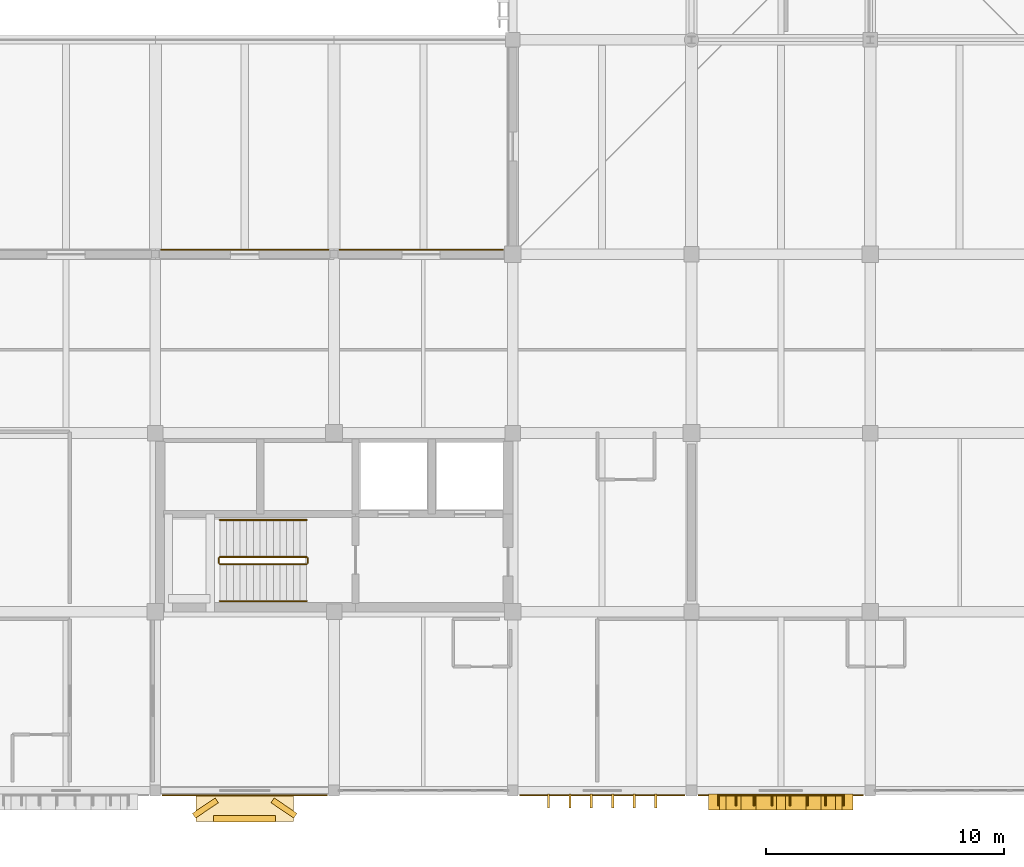
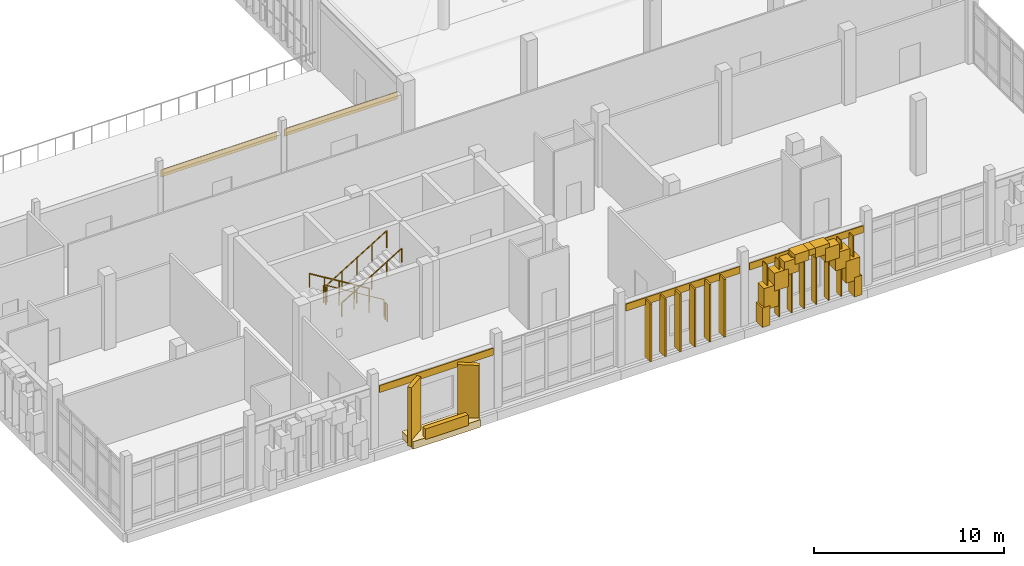
# One storey, part 127 of 131: 26 coverings, 8 shading devices, 6 railings.
"""IFC4 building model written with IfcOpenShell, lengths in metres."""

from ifc_helpers import new_model, si_unit, direction, frame, origin, origin_2d, place, context, subcontext, project, spatial, rectangle, circle, extrude, material, layer, layer_set, type_object, element, save


model = new_model("IFC4")

# Units and contexts
model_context = context("Model", 3, precision=1e-05, world=origin(), true_north=direction((0.0, 1.0)))
body_context = subcontext(model_context, "Body", "Model", "MODEL_VIEW")
ifc_project = project(units=[si_unit("LENGTHUNIT", "METRE"), si_unit("AREAUNIT", "SQUARE_METRE"), si_unit("VOLUMEUNIT", "CUBIC_METRE"), si_unit("PLANEANGLEUNIT", "RADIAN"), si_unit("MASSUNIT", "GRAM", prefix="KILO")], contexts=[model_context])

# Site, building, storey
site_placement = place(None, origin())
site = spatial("IfcSite", under=ifc_project, at=site_placement, CompositionType="ELEMENT")
building_placement = place(site_placement, origin())
building = spatial("IfcBuilding", under=site, at=building_placement, Name="Dalvernix Boulevard General Hospital", CompositionType="ELEMENT")
storey_placement = place(building_placement, frame((0.0, 0.0, 9.300048828125)))
storey = spatial("IfcBuildingStorey", under=building, at=storey_placement, Name="L02", CompositionType="ELEMENT", Elevation=9.300048828125)

# Coverings
ifc_material_1 = material(Name="Pressed Catalan clay brick and dressed limestone parabolic archivolt", Category="masonry")
ifc_layer_1 = layer(ifc_material_1, 0.419921875)
ifc_layer_set_1 = layer_set([ifc_layer_1], Name="Pressed Catalan clay brick and dressed limestone parabolic archivolt (COV-ARC-01)")
covering_type_1 = type_object("IfcCoveringType", Name="COV-ARC-01", PredefinedType="CLADDING", material=ifc_layer_set_1)
for number, where, z_axis, x_axis, name in (
    (1, (156.550048828125, -0.485107421875, 0.0), (0.0, 0.0, 1.0), (-1.0, 0.0, 0.0), "L02 Catalan parabolic arch impost pier S 20-0-L"),
    (2, (150.949951171875, -0.485107421875, 0.0), (0.0, 0.0, 1.0), (-1.0, 0.0, 0.0), "L02 Catalan parabolic arch impost pier S 20-0-R"),
):
    element("IfcCovering", number, at=place(storey_placement, frame(where, z_axis=z_axis, x_axis=x_axis)), inside=storey, type_object=covering_type_1, Name=name, PredefinedType="CLADDING", context=body_context, shape_type="SweptSolid", body=[
        extrude(rectangle(XDim=0.4599609375, YDim=0.659912109375, at=origin_2d()), origin(), (0.0, 0.0, 1.0), 1.25),
    ])
covering_1_placement = place(storey_placement, frame((156.239013671875, -0.485107421875, 1.059814453125), z_axis=(0.0, 0.0, 1.0), x_axis=(-1.0, 0.0, 0.0)))
element("IfcCovering", 3, at=covering_1_placement, inside=storey, type_object=covering_type_1, Name="L02 Catalan parabolic archivolt voussoir S 20-0-1", PredefinedType="CLADDING", context=body_context, shape_type="SweptSolid", body=[
    extrude(rectangle(XDim=0.8623046875, YDim=0.659912109375, at=origin_2d()), origin(), (0.0, 0.0, 1.0), 1.3994140625),
])
covering_2_placement = place(storey_placement, frame((155.61669921875, -0.485107421875, 2.0791015625), z_axis=(0.0, 0.0, 1.0), x_axis=(-1.0, 0.0, 0.0)))
element("IfcCovering", 4, at=covering_2_placement, inside=storey, type_object=covering_type_1, Name="L02 Catalan parabolic archivolt voussoir S 20-0-2", PredefinedType="CLADDING", context=body_context, shape_type="SweptSolid", body=[
    extrude(rectangle(XDim=0.8623046875, YDim=0.659912109375, at=origin_2d()), origin(), (0.0, 0.0, 1.0), 1.144287109375),
])
covering_3_placement = place(storey_placement, frame((154.994384765625, -0.485107421875, 2.843505859375), z_axis=(0.0, 0.0, 1.0), x_axis=(-1.0, 0.0, 0.0)))
element("IfcCovering", 5, at=covering_3_placement, inside=storey, type_object=covering_type_1, Name="L02 Catalan parabolic archivolt voussoir S 20-0-3", PredefinedType="CLADDING", context=body_context, shape_type="SweptSolid", body=[
    extrude(rectangle(XDim=0.8623046875, YDim=0.659912109375, at=origin_2d()), origin(), (0.0, 0.0, 1.0), 0.8896484375),
])
covering_4_placement = place(storey_placement, frame((154.372314453125, -0.485107421875, 3.353271484375), z_axis=(0.0, 0.0, 1.0), x_axis=(-1.0, 0.0, 0.0)))
element("IfcCovering", 6, at=covering_4_placement, inside=storey, type_object=covering_type_1, Name="L02 Catalan parabolic archivolt voussoir S 20-0-4", PredefinedType="CLADDING", context=body_context, shape_type="SweptSolid", body=[
    extrude(rectangle(XDim=0.8623046875, YDim=0.659912109375, at=origin_2d()), origin(), (0.0, 0.0, 1.0), 0.634765625),
])
covering_5_placement = place(storey_placement, frame((153.75, -0.485107421875, 3.608154296875), z_axis=(0.0, 0.0, 1.0), x_axis=(-1.0, 0.0, 0.0)))
element("IfcCovering", 7, at=covering_5_placement, inside=storey, type_object=covering_type_1, Name="L02 Catalan parabolic archivolt voussoir S 20-0-5", PredefinedType="CLADDING", context=body_context, shape_type="SweptSolid", body=[
    extrude(rectangle(XDim=0.8623046875, YDim=0.659912109375, at=origin_2d()), origin(), (0.0, 0.0, 1.0), 0.3798828125),
])
covering_6_placement = place(storey_placement, frame((153.127685546875, -0.485107421875, 3.353271484375), z_axis=(0.0, 0.0, 1.0), x_axis=(-1.0, 0.0, 0.0)))
element("IfcCovering", 8, at=covering_6_placement, inside=storey, type_object=covering_type_1, Name="L02 Catalan parabolic archivolt voussoir S 20-0-6", PredefinedType="CLADDING", context=body_context, shape_type="SweptSolid", body=[
    extrude(rectangle(XDim=0.8623046875, YDim=0.659912109375, at=origin_2d()), origin(), (0.0, 0.0, 1.0), 0.634765625),
])
covering_7_placement = place(storey_placement, frame((152.505615234375, -0.485107421875, 2.843505859375), z_axis=(0.0, 0.0, 1.0), x_axis=(-1.0, 0.0, 0.0)))
element("IfcCovering", 9, at=covering_7_placement, inside=storey, type_object=covering_type_1, Name="L02 Catalan parabolic archivolt voussoir S 20-0-7", PredefinedType="CLADDING", context=body_context, shape_type="SweptSolid", body=[
    extrude(rectangle(XDim=0.8623046875, YDim=0.659912109375, at=origin_2d()), origin(), (0.0, 0.0, 1.0), 0.8896484375),
])
covering_8_placement = place(storey_placement, frame((151.88330078125, -0.485107421875, 2.0791015625), z_axis=(0.0, 0.0, 1.0), x_axis=(-1.0, 0.0, 0.0)))
element("IfcCovering", 10, at=covering_8_placement, inside=storey, type_object=covering_type_1, Name="L02 Catalan parabolic archivolt voussoir S 20-0-8", PredefinedType="CLADDING", context=body_context, shape_type="SweptSolid", body=[
    extrude(rectangle(XDim=0.8623046875, YDim=0.659912109375, at=origin_2d()), origin(), (0.0, 0.0, 1.0), 1.144287109375),
])
covering_9_placement = place(storey_placement, frame((151.260986328125, -0.485107421875, 1.059814453125), z_axis=(0.0, 0.0, 1.0), x_axis=(-1.0, 0.0, 0.0)))
element("IfcCovering", 11, at=covering_9_placement, inside=storey, type_object=covering_type_1, Name="L02 Catalan parabolic archivolt voussoir S 20-0-9", PredefinedType="CLADDING", context=body_context, shape_type="SweptSolid", body=[
    extrude(rectangle(XDim=0.8623046875, YDim=0.659912109375, at=origin_2d()), origin(), (0.0, 0.0, 1.0), 1.3994140625),
])
ifc_material_2 = material(Name="Polychrome glazed Catalan trencadis ceramic faceted bay spandrel")
ifc_layer_2 = layer(ifc_material_2, 0.280029296875)
ifc_layer_set_2 = layer_set([ifc_layer_2], Name="Polychrome glazed Catalan trencadis ceramic faceted bay spandrel (COV-BAY-01)")
covering_type_2 = type_object("IfcCoveringType", Name="COV-BAY-01", PredefinedType="CLADDING", material=ifc_layer_set_2)
covering_10_placement = place(storey_placement, frame((131.25, -1.18505859375, 0.3798828125), z_axis=(0.0, 0.0, 1.0), x_axis=(-1.0, 0.0, 0.0)))
element("IfcCovering", 12, at=covering_10_placement, inside=storey, type_object=covering_type_2, Name="L02 projecting faceted trencadis bay spandrel S 17-0", PredefinedType="CLADDING", context=body_context, shape_type="SweptSolid", body=[
    extrude(rectangle(XDim=2.60009765625, YDim=0.280029296875, at=origin_2d()), origin(), (0.0, 0.0, 1.0), 0.679931640625),
])
for number, where, z_axis, x_axis, name in (
    (13, (132.89990234375, -0.735107421875, 0.079833984375), (0.0, 0.0, 1.0), (-0.829037572555, 0.559192903471, 0.0), "L02 projecting faceted Catalan bay cheek S 17-0-L"),
    (14, (129.60009765625, -0.735107421875, 0.079833984375), (0.0, 0.0, 1.0), (-0.829037572555, -0.559192903471, 0.0), "L02 projecting faceted Catalan bay cheek S 17-0-R"),
):
    element("IfcCovering", number, at=place(storey_placement, frame(where, z_axis=z_axis, x_axis=x_axis)), inside=storey, type_object=covering_type_2, Name=name, PredefinedType="CLADDING", context=body_context, shape_type="SweptSolid", body=[
        extrude(rectangle(XDim=1.14990234375, YDim=0.239990234375, at=origin_2d()), origin(), (0.0, 0.0, 1.0), 3.7900390625),
    ])
ifc_material_3 = material(Name="Polychrome Catalan glazed ceramic spandrel tile panel")
ifc_layer_3 = layer(ifc_material_3, 0.044921875)
ifc_layer_set_3 = layer_set([ifc_layer_3], Name="Polychrome Catalan glazed ceramic spandrel tile panel (COV-CLD-01)")
covering_type_3 = type_object("IfcCoveringType", Name="COV-CLD-01", PredefinedType="CLADDING", material=ifc_layer_set_3)
covering_11_placement = place(storey_placement, frame((131.25, -0.195068359375, 3.47509765625), z_axis=(0.0, 0.0, 1.0), x_axis=(-1.0, 0.0, 0.0)))
element("IfcCovering", 15, at=covering_11_placement, inside=storey, type_object=covering_type_3, Name="L02 polychrome ceramic spandrel S 17-0", PredefinedType="CLADDING", context=body_context, shape_type="SweptSolid", body=[
    extrude(rectangle(XDim=6.929931640625, YDim=0.044921875, at=origin_2d()), origin(), (0.0, 0.0, 1.0), 0.449951171875),
])
covering_12_placement = place(storey_placement, frame((131.25, 22.695068359375, 3.47509765625), z_axis=(0.0, 0.0, 1.0), x_axis=(1.0, 0.0, 0.0)))
element("IfcCovering", 16, at=covering_12_placement, inside=storey, type_object=covering_type_3, Name="L02 polychrome ceramic spandrel N 17-3", PredefinedType="CLADDING", context=body_context, shape_type="SweptSolid", body=[
    extrude(rectangle(XDim=7.06005859375, YDim=0.044921875, at=origin_2d()), origin(), (0.0, 0.0, 1.0), 0.449951171875),
])
covering_13_placement = place(storey_placement, frame((138.655029296875, 22.695068359375, 3.47509765625), z_axis=(0.0, 0.0, 1.0), x_axis=(1.0, 0.0, 0.0)))
element("IfcCovering", 17, at=covering_13_placement, inside=storey, type_object=covering_type_3, Name="L02 polychrome ceramic spandrel N 18-3", PredefinedType="CLADDING", context=body_context, shape_type="SweptSolid", body=[
    extrude(rectangle(XDim=6.8701171875, YDim=0.044921875, at=origin_2d()), origin(), (0.0, 0.0, 1.0), 0.449951171875),
])
for number, where, z_axis, x_axis, name in (
    (18, (146.25, -0.195068359375, 3.47509765625), (0.0, 0.0, 1.0), (-1.0, 0.0, 0.0), "L02 polychrome ceramic spandrel S 19-0"),
    (19, (153.75, -0.195068359375, 3.47509765625), (0.0, 0.0, 1.0), (-1.0, 0.0, 0.0), "L02 polychrome ceramic spandrel S 20-0"),
):
    element("IfcCovering", number, at=place(storey_placement, frame(where, z_axis=z_axis, x_axis=x_axis)), inside=storey, type_object=covering_type_3, Name=name, PredefinedType="CLADDING", context=body_context, shape_type="SweptSolid", body=[
        extrude(rectangle(XDim=6.929931640625, YDim=0.044921875, at=origin_2d()), origin(), (0.0, 0.0, 1.0), 0.449951171875),
    ])
ifc_material_4 = material(Name="Dressed ochre limestone classical plinth, stringcourse and corbelled cornice", Category="masonry")
ifc_layer_4 = layer(ifc_material_4, 0.449951171875)
ifc_layer_set_4 = layer_set([ifc_layer_4], Name="Dressed ochre limestone classical plinth, stringcourse and corbelled cornice (COV-CRN-01)")
covering_type_4 = type_object("IfcCoveringType", Name="COV-CRN-01", PredefinedType="CLADDING", material=ifc_layer_set_4)
covering_14_placement = place(storey_placement, frame((131.25, -0.72998046875, 0.0), z_axis=(0.0, 0.0, 1.0), x_axis=(-1.0, 0.0, 0.0)))
element("IfcCovering", 20, at=covering_14_placement, inside=storey, type_object=covering_type_4, Name="L02 projecting Catalan bay corbel base S 17-0", PredefinedType="CLADDING", context=body_context, shape_type="SweptSolid", body=[
    extrude(rectangle(XDim=4.10009765625, YDim=1.14990234375, at=origin_2d()), origin(), (0.0, 0.0, 1.0), 0.47998046875),
])
ifc_material_5 = material(Name="Terracotta-clad iroko timber brise-soleil sun-breaker fin", Category="masonry")
ifc_layer_5 = layer(ifc_material_5, 0.10009765625)
ifc_layer_set_5 = layer_set([ifc_layer_5], Name="Terracotta-clad iroko timber brise-soleil sun-breaker fin (COV-FIN-02)")
covering_type_5 = type_object("IfcCoveringType", Name="COV-FIN-02", PredefinedType="CLADDING", material=ifc_layer_set_5)
for number, where, z_axis, x_axis, name in (
    (21, (148.5, -0.445068359375, 0.119873046875), (0.0, 0.0, 1.0), (-1.0, 0.0, 0.0), "L02 terracotta brise-soleil fin S 19-0-1"),
    (22, (147.60009765625, -0.445068359375, 0.119873046875), (0.0, 0.0, 1.0), (-1.0, 0.0, 0.0), "L02 terracotta brise-soleil fin S 19-0-2"),
    (23, (146.699951171875, -0.445068359375, 0.119873046875), (0.0, 0.0, 1.0), (-1.0, 0.0, 0.0), "L02 terracotta brise-soleil fin S 19-0-3"),
    (24, (145.800048828125, -0.445068359375, 0.119873046875), (0.0, 0.0, 1.0), (-1.0, 0.0, 0.0), "L02 terracotta brise-soleil fin S 19-0-4"),
    (25, (144.89990234375, -0.445068359375, 0.119873046875), (0.0, 0.0, 1.0), (-1.0, 0.0, 0.0), "L02 terracotta brise-soleil fin S 19-0-5"),
    (26, (144.0, -0.445068359375, 0.119873046875), (0.0, 0.0, 1.0), (-1.0, 0.0, 0.0), "L02 terracotta brise-soleil fin S 19-0-6"),
):
    element("IfcCovering", number, at=place(storey_placement, frame(where, z_axis=z_axis, x_axis=x_axis)), inside=storey, type_object=covering_type_5, Name=name, PredefinedType="CLADDING", context=body_context, shape_type="SweptSolid", body=[
        extrude(rectangle(XDim=0.10009765625, YDim=0.580078125, at=origin_2d()), origin(), (0.0, 0.0, 1.0), 3.7099609375),
    ])

# Railings
ifc_material_6 = material(Name="Brushed stainless steel balustrade", Category="steel")
railing_type_1 = type_object("IfcRailingType", Name="RL-GR-INT1", PredefinedType="BALUSTRADE", material=ifc_material_6)
railing_1_placement = place(storey_placement, frame((133.85009765625, 9.800048828125, 0.17138671875)))
element("IfcRailing", 27, at=railing_1_placement, inside=storey, type_object=railing_type_1, Name="L02 ST-05 stair guard 1", PredefinedType="BALUSTRADE", context=body_context, shape_type="SweptSolid", body=[
    extrude(circle(Radius=0.02392578125, at=origin_2d()), frame((0.0, 0.0, 1.09619140625), z_axis=(-0.852865859571, 0.0, 0.52213008492), x_axis=(0.0, -1.0, 0.0)), (0.0, 0.0, 1.0), 4.26806640625),
    extrude(circle(Radius=0.02099609375, at=origin_2d()), origin(), (0.0, 0.0, 1.0), 1.072021484375),
    extrude(circle(Radius=0.02099609375, at=origin_2d()), frame((-0.91015625, 0.0, 0.55712890625)), (0.0, 0.0, 1.0), 1.072021484375),
    extrude(circle(Radius=0.02099609375, at=origin_2d()), frame((-1.820068359375, 0.0, 1.1142578125)), (0.0, 0.0, 1.0), 1.072021484375),
    extrude(circle(Radius=0.02099609375, at=origin_2d()), frame((-2.72998046875, 0.0, 1.67138671875)), (0.0, 0.0, 1.0), 1.072021484375),
    extrude(circle(Radius=0.02099609375, at=origin_2d()), frame((-3.64013671875, 0.0, 2.228515625)), (0.0, 0.0, 1.0), 1.072021484375),
])
railing_2_placement = place(storey_placement, frame((130.159912109375, 9.75, 2.39990234375)))
element("IfcRailing", 28, at=railing_2_placement, inside=storey, type_object=railing_type_1, Name="L02 ST-05 stair guard 2", PredefinedType="BALUSTRADE", context=body_context, shape_type="SweptSolid", body=[
    extrude(circle(Radius=0.02392578125, at=origin_2d()), frame((0.0, 0.0, 1.09619140625), z_axis=(0.0, -1.0, 0.0), x_axis=(1.0, 0.0, 0.0)), (0.0, 0.0, 1.0), 0.199951171875),
    extrude(circle(Radius=0.02099609375, at=origin_2d()), origin(), (0.0, 0.0, 1.0), 1.072021484375),
    extrude(circle(Radius=0.02099609375, at=origin_2d()), frame((0.0, -0.199951171875, 0.0)), (0.0, 0.0, 1.0), 1.072021484375),
])
railing_3_placement = place(storey_placement, frame((130.2099609375, 9.5, 2.5712890625)))
element("IfcRailing", 29, at=railing_3_placement, inside=storey, type_object=railing_type_1, Name="L02 ST-05 stair guard 3", PredefinedType="BALUSTRADE", context=body_context, shape_type="SweptSolid", body=[
    extrude(circle(Radius=0.02392578125, at=origin_2d()), frame((0.0, 0.0, 1.09619140625), z_axis=(0.852840387347, 0.0, 0.522171689878), x_axis=(0.0, 1.0, 0.0)), (0.0, 0.0, 1.0), 4.268310546875),
    extrude(circle(Radius=0.02099609375, at=origin_2d()), origin(), (0.0, 0.0, 1.0), 1.072021484375),
    extrude(circle(Radius=0.02099609375, at=origin_2d()), frame((0.91015625, 0.0, 0.55712890625)), (0.0, 0.0, 1.0), 1.072021484375),
    extrude(circle(Radius=0.02099609375, at=origin_2d()), frame((1.820068359375, 0.0, 1.1142578125)), (0.0, 0.0, 1.0), 1.072021484375),
    extrude(circle(Radius=0.02099609375, at=origin_2d()), frame((2.72998046875, 0.0, 1.671630859375)), (0.0, 0.0, 1.0), 1.072021484375),
    extrude(circle(Radius=0.02099609375, at=origin_2d()), frame((3.64013671875, 0.0, 2.228759765625)), (0.0, 0.0, 1.0), 1.072021484375),
])
railing_4_placement = place(storey_placement, frame((133.89990234375, 9.75, 0.0)))
element("IfcRailing", 30, at=railing_4_placement, inside=storey, type_object=railing_type_1, Name="L02 ST-05 stair guard 4", PredefinedType="BALUSTRADE", context=body_context, shape_type="SweptSolid", body=[
    extrude(circle(Radius=0.02392578125, at=origin_2d()), frame((0.0, 0.0, 1.09619140625), z_axis=(0.0, -1.0, 0.0), x_axis=(1.0, 0.0, 0.0)), (0.0, 0.0, 1.0), 0.199951171875),
    extrude(circle(Radius=0.02099609375, at=origin_2d()), origin(), (0.0, 0.0, 1.0), 1.072021484375),
    extrude(circle(Radius=0.02099609375, at=origin_2d()), frame((0.0, -0.199951171875, 0.0)), (0.0, 0.0, 1.0), 1.072021484375),
])
ifc_material_7 = material(Name="Brushed stainless steel wall handrail", Category="steel")
railing_type_2 = type_object("IfcRailingType", Name="RL-HR-INT1", PredefinedType="HANDRAIL", material=ifc_material_7)
railing_5_placement = place(storey_placement, frame((133.85009765625, 11.35009765625, 0.17138671875)))
element("IfcRailing", 31, at=railing_5_placement, inside=storey, type_object=railing_type_2, Name="L02 ST-05 stair handrail 1", PredefinedType="HANDRAIL", context=body_context, shape_type="SweptSolid", body=[
    extrude(circle(Radius=0.02392578125, at=origin_2d()), frame((0.0, 0.0, 0.8759765625), z_axis=(-0.852865859571, 0.0, 0.52213008492), x_axis=(0.0, -1.0, 0.0)), (0.0, 0.0, 1.0), 4.26806640625),
    extrude(circle(Radius=0.02099609375, at=origin_2d()), origin(), (0.0, 0.0, 1.0), 0.851806640625),
    extrude(circle(Radius=0.02099609375, at=origin_2d()), frame((-0.91015625, 0.0, 0.55712890625)), (0.0, 0.0, 1.0), 0.851806640625),
    extrude(circle(Radius=0.02099609375, at=origin_2d()), frame((-1.820068359375, 0.0, 1.1142578125)), (0.0, 0.0, 1.0), 0.851806640625),
    extrude(circle(Radius=0.02099609375, at=origin_2d()), frame((-2.72998046875, 0.0, 1.67138671875)), (0.0, 0.0, 1.0), 0.851806640625),
    extrude(circle(Radius=0.02099609375, at=origin_2d()), frame((-3.64013671875, 0.0, 2.228515625)), (0.0, 0.0, 1.0), 0.851806640625),
])
railing_6_placement = place(storey_placement, frame((130.2099609375, 7.949951171875, 2.5712890625)))
element("IfcRailing", 32, at=railing_6_placement, inside=storey, type_object=railing_type_2, Name="L02 ST-05 stair handrail 2", PredefinedType="HANDRAIL", context=body_context, shape_type="SweptSolid", body=[
    extrude(circle(Radius=0.02392578125, at=origin_2d()), frame((0.0, 0.0, 0.8759765625), z_axis=(0.852840387347, 0.0, 0.522171689878), x_axis=(0.0, 1.0, 0.0)), (0.0, 0.0, 1.0), 4.268310546875),
    extrude(circle(Radius=0.02099609375, at=origin_2d()), origin(), (0.0, 0.0, 1.0), 0.851806640625),
    extrude(circle(Radius=0.02099609375, at=origin_2d()), frame((0.91015625, 0.0, 0.55712890625)), (0.0, 0.0, 1.0), 0.851806640625),
    extrude(circle(Radius=0.02099609375, at=origin_2d()), frame((1.820068359375, 0.0, 1.1142578125)), (0.0, 0.0, 1.0), 0.851806640625),
    extrude(circle(Radius=0.02099609375, at=origin_2d()), frame((2.72998046875, 0.0, 1.671630859375)), (0.0, 0.0, 1.0), 0.851806640625),
    extrude(circle(Radius=0.02099609375, at=origin_2d()), frame((3.64013671875, 0.0, 2.228759765625)), (0.0, 0.0, 1.0), 0.851806640625),
])

# Shading devices
ifc_material_8 = material(Name="Preservative-treated West African iroko timber", Category="wood")
shading_device_type = type_object("IfcShadingDeviceType", Name="SHD-FIN-01", PredefinedType="USERDEFINED", material=ifc_material_8)
for number, where, z_axis, x_axis, name in (
    (33, (156.375, -0.405029296875, 0.1748046875), (0.0, 0.0, 1.0), (-1.0, 0.0, 0.0), "L02 iroko brise-soleil fin 1"),
    (34, (155.625, -0.405029296875, 0.1748046875), (0.0, 0.0, 1.0), (-1.0, 0.0, 0.0), "L02 iroko brise-soleil fin 2"),
    (35, (154.875, -0.405029296875, 0.1748046875), (0.0, 0.0, 1.0), (-1.0, 0.0, 0.0), "L02 iroko brise-soleil fin 3"),
    (36, (154.125, -0.405029296875, 0.1748046875), (0.0, 0.0, 1.0), (-1.0, 0.0, 0.0), "L02 iroko brise-soleil fin 4"),
    (37, (153.375, -0.405029296875, 0.1748046875), (0.0, 0.0, 1.0), (-1.0, 0.0, 0.0), "L02 iroko brise-soleil fin 5"),
    (38, (152.625, -0.405029296875, 0.1748046875), (0.0, 0.0, 1.0), (-1.0, 0.0, 0.0), "L02 iroko brise-soleil fin 6"),
    (39, (151.875, -0.405029296875, 0.1748046875), (0.0, 0.0, 1.0), (-1.0, 0.0, 0.0), "L02 iroko brise-soleil fin 7"),
    (40, (151.125, -0.405029296875, 0.1748046875), (0.0, 0.0, 1.0), (-1.0, 0.0, 0.0), "L02 iroko brise-soleil fin 8"),
):
    element("IfcShadingDevice", number, at=place(storey_placement, frame(where, z_axis=z_axis, x_axis=x_axis)), inside=storey, type_object=shading_device_type, Name=name, ObjectType="FIN", PredefinedType="USERDEFINED", context=body_context, shape_type="SweptSolid", body=[
        extrude(rectangle(XDim=0.06494140625, YDim=0.47998046875, at=origin_2d()), origin(), (0.0, 0.0, 1.0), 3.60009765625),
    ])

save(model, "model.ifc")
